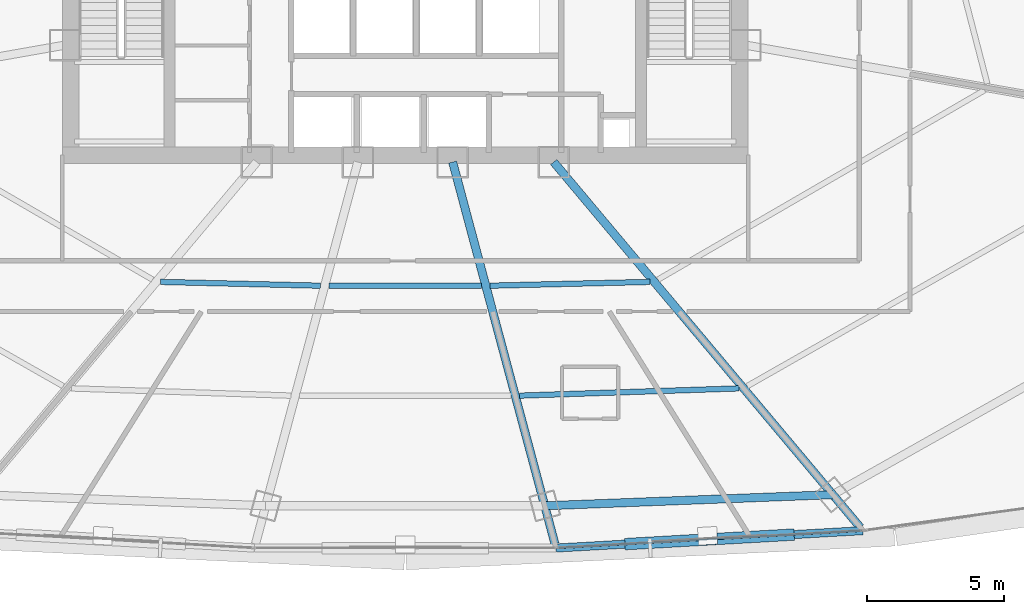
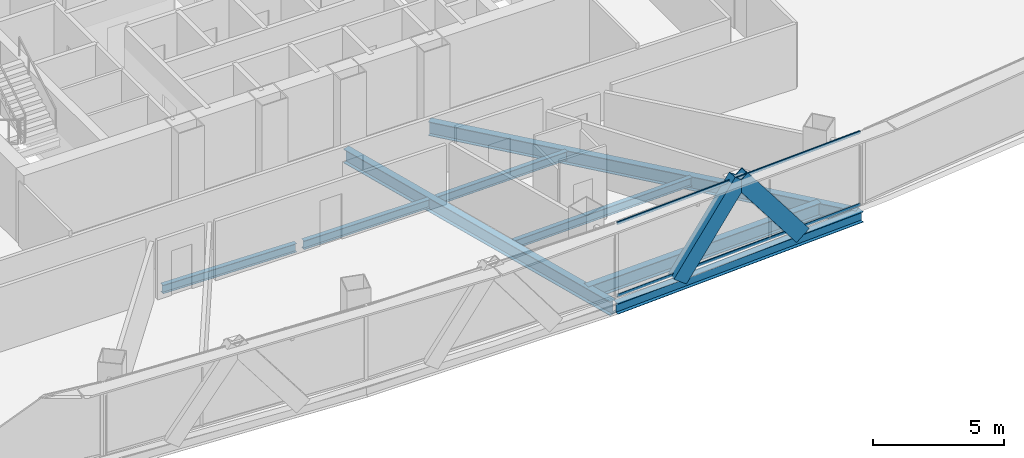
# One storey, part 13 of 39: 8 beams, 4 members, 1 element without a shape of its own.
"""IFC4 building model written with IfcOpenShell, lengths in metres."""

from ifc_helpers import new_model, si_unit, direction, frame, origin, origin_2d, place, context, subcontext, project, spatial, hollow_rectangle, i_section, extrude, source, transform, mapped, material, layer, layer_set, material_profile, profile_set, type_object, element, aggregate, save


model = new_model("IFC4")

# Units and contexts
model_context = context("Model", 3, precision=1e-05, world=origin(), true_north=direction((0.0, 1.0)))
body_context = subcontext(model_context, "Body", "Model", "MODEL_VIEW")
ifc_project = project(units=[si_unit("LENGTHUNIT", "METRE"), si_unit("AREAUNIT", "SQUARE_METRE"), si_unit("VOLUMEUNIT", "CUBIC_METRE"), si_unit("PLANEANGLEUNIT", "RADIAN"), si_unit("MASSUNIT", "GRAM", prefix="KILO"), si_unit("THERMODYNAMICTEMPERATUREUNIT", "KELVIN"), si_unit("POWERUNIT", "WATT")], contexts=[model_context])

# Site, building, storey
site_placement = place(None, origin())
site = spatial("IfcSite", under=ifc_project, at=site_placement, CompositionType="ELEMENT")
building_placement = place(site_placement, origin())
building = spatial("IfcBuilding", under=site, at=building_placement, Name="Yunzhuo Pagoda Commons", CompositionType="ELEMENT")
storey_placement = place(building_placement, frame((0.0, 0.0, 148.22998046875)))
storey = spatial("IfcBuildingStorey", under=building, at=storey_placement, Name="L37", CompositionType="ELEMENT", Elevation=148.22998046875)

# Beams
ifc_material_1 = material(Name="Structural steel Q355B", Category="steel")
ifc_material_profile_1 = material_profile(ifc_material_1, i_section(OverallWidth=0.300048828125, OverallDepth=0.64990234375, WebThickness=0.012939453125, FlangeThickness=0.02197265625, at=origin_2d()), Name="Structural steel Q355B")
ifc_profile_set_1 = profile_set([ifc_material_profile_1], Name="Structural steel Q355B")
beam_type_1 = type_object("IfcBeamType", Name="B-RG2 Beam HN 650x300x13x22", PredefinedType="BEAM", material=ifc_profile_set_1)
shared_shape_1 = source(origin(), body_context, "Body", "SweptSolid", [
    extrude(i_section(OverallWidth=0.300048828125, OverallDepth=0.64990234375, WebThickness=0.012939453125, FlangeThickness=0.02197265625, at=origin_2d()), origin(), (0.0, 0.0, 1.0), 10.5078125),
])
beam_1_placement = place(storey_placement, frame((53.085205078125, 14.7216796875, -0.584716796875), z_axis=(0.999258632812, 0.03849915259, 0.0), x_axis=(-0.03849915259, 0.999258632812, 0.0)))
element("IfcBeam", 1, at=beam_1_placement, inside=storey, type_object=beam_type_1, Name="L37 column-ring beam 3", PredefinedType="BEAM", context=body_context, shape_type="MappedRepresentation", body=[
    mapped(shared_shape_1, transform((0.0, 0.0, 0.0), scale=1.0)),
])
ifc_material_profile_2 = material_profile(ifc_material_1, i_section(OverallWidth=0.199951171875, OverallDepth=0.39990234375, WebThickness=0.008056640625, FlangeThickness=0.012939453125, at=origin_2d()), Name="Structural steel Q355B")
ifc_profile_set_2 = profile_set([ifc_material_profile_2], Name="Structural steel Q355B")
beam_type_2 = type_object("IfcBeamType", Name="B-JS1 Joist HN 400x200x8x13", PredefinedType="JOIST", material=ifc_profile_set_2)
shared_shape_2 = source(origin(), body_context, "Body", "SweptSolid", [
    extrude(i_section(OverallWidth=0.199951171875, OverallDepth=0.39990234375, WebThickness=0.008056640625, FlangeThickness=0.012939453125, at=origin_2d()), origin(), (0.0, 0.0, 1.0), 5.821533203125),
])
for number, where, z_axis, x_axis, name in (
    (2, (39.08447265625, 22.881591796875, -0.459716796875), (0.999718239795, -0.023736912649, 0.0), (0.023736912649, 0.999718239795, 0.0), "L37 composite ring joist 1.1"),
    (3, (51.095703125, 22.743408203125, -0.459716796875), (0.999718239795, 0.023736912649, 0.0), (-0.023736912649, 0.999718239795, 0.0), "L37 composite ring joist 1.3"),
):
    element("IfcBeam", number, at=place(storey_placement, frame(where, z_axis=z_axis, x_axis=x_axis)), inside=storey, type_object=beam_type_2, Name=name, PredefinedType="JOIST", context=body_context, shape_type="MappedRepresentation", body=[
        mapped(shared_shape_2, transform((0.0, 0.0, 0.0), scale=1.0)),
    ])
shared_shape_3 = source(origin(), body_context, "Body", "SweptSolid", [
    extrude(i_section(OverallWidth=0.199951171875, OverallDepth=0.39990234375, WebThickness=0.008056640625, FlangeThickness=0.012939453125, at=origin_2d()), origin(), (0.0, 0.0, 1.0), 8.00537109375),
])
beam_2_placement = place(storey_placement, frame((52.169921875, 18.73583984375, -0.459716796875), z_axis=(0.999453403952, 0.033058937199, 0.0), x_axis=(-0.033058937199, 0.999453403952, 0.0)))
element("IfcBeam", 4, at=beam_2_placement, inside=storey, type_object=beam_type_2, Name="L37 composite ring joist 2.3", PredefinedType="JOIST", context=body_context, shape_type="MappedRepresentation", body=[
    mapped(shared_shape_3, transform((0.0, 0.0, 0.0), scale=1.0)),
])
shared_shape_4 = source(origin(), body_context, "Body", "SweptSolid", [
    extrude(i_section(OverallWidth=0.199951171875, OverallDepth=0.39990234375, WebThickness=0.008056640625, FlangeThickness=0.012939453125, at=origin_2d()), origin(), (0.0, 0.0, 1.0), 5.5556640625),
])
beam_3_placement = place(storey_placement, frame((45.22216796875, 22.73974609375, -0.459716796875), z_axis=(1.0, 0.0, 0.0), x_axis=(0.0, 1.0, 0.0)))
element("IfcBeam", 5, at=beam_3_placement, inside=storey, type_object=beam_type_2, Name="L37 composite ring joist 1.2", PredefinedType="JOIST", context=body_context, shape_type="MappedRepresentation", body=[
    mapped(shared_shape_4, transform((0.0, 0.0, 0.0), scale=1.0)),
])
shared_shape_5 = source(origin(), body_context, "Body", "SweptSolid", [
    extrude(i_section(OverallWidth=0.300048828125, OverallDepth=0.64990234375, WebThickness=0.012939453125, FlangeThickness=0.02197265625, at=origin_2d()), origin(), (0.0, 0.0, 1.0), 14.41064453125),
])
beam_4_placement = place(storey_placement, frame((53.4580078125, 13.330322265625, -0.584716796875), z_axis=(-0.258801290743, 0.96593058338, 0.0), x_axis=(-0.96593058338, -0.258801290743, 0.0)))
element("IfcBeam", 6, at=beam_4_placement, inside=storey, type_object=beam_type_1, Name="L37 radial floor girder F1C3", PredefinedType="BEAM", context=body_context, shape_type="MappedRepresentation", body=[
    mapped(shared_shape_5, transform((0.0, 0.0, 0.0), scale=1.0)),
])
shared_shape_6 = source(origin(), body_context, "Body", "SweptSolid", [
    extrude(i_section(OverallWidth=0.300048828125, OverallDepth=0.64990234375, WebThickness=0.012939453125, FlangeThickness=0.02197265625, at=origin_2d()), origin(), (0.0, 0.0, 1.0), 17.383544921875),
])
beam_5_placement = place(storey_placement, frame((64.586181640625, 13.93359375, -0.584716796875), z_axis=(-0.642797085121, 0.766036492186, 0.0), x_axis=(-0.766036492186, -0.642797085121, 0.0)))
element("IfcBeam", 7, at=beam_5_placement, inside=storey, type_object=beam_type_1, Name="L37 radial floor girder F1C4", PredefinedType="BEAM", context=body_context, shape_type="MappedRepresentation", body=[
    mapped(shared_shape_6, transform((0.0, 0.0, 0.0), scale=1.0)),
])
ifc_material_profile_3 = material_profile(ifc_material_1, i_section(OverallWidth=0.300048828125, OverallDepth=0.488037109375, WebThickness=0.010986328125, FlangeThickness=0.01806640625, at=origin_2d()), Name="Structural steel Q355B")
ifc_profile_set_3 = profile_set([ifc_material_profile_3], Name="Structural steel Q355B")
beam_type_3 = type_object("IfcBeamType", Name="B-SP1 Beam HM 488x300x11x18", PredefinedType="BEAM", material=ifc_profile_set_3)
shared_shape_7 = source(origin(), body_context, "Body", "SweptSolid", [
    extrude(i_section(OverallWidth=0.300048828125, OverallDepth=0.488037109375, WebThickness=0.010986328125, FlangeThickness=0.01806640625, at=origin_2d()), origin(), (0.0, 0.0, 1.0), 11.20556640625),
])
beam_6_placement = place(storey_placement, frame((53.498046875, 13.1806640625, -0.50390625), z_axis=(0.998396692346, 0.056604281746, 0.0), x_axis=(-0.056604281746, 0.998396692346, 0.0)))
element("IfcBeam", 8, at=beam_6_placement, inside=storey, type_object=beam_type_3, Name="L37 facade edge spandrel beam F1.3", PredefinedType="BEAM", context=body_context, shape_type="MappedRepresentation", body=[
    mapped(shared_shape_7, transform((0.0, 0.0, 0.0), scale=1.0)),
])

# Members
ifc_material_2 = material(Name="Structural steel Q420B", Category="steel")
ifc_material_profile_4 = material_profile(ifc_material_2, hollow_rectangle(XDim=0.419921875, YDim=0.719970703125, WallThickness=0.028076171875, at=origin_2d()), Name="Structural steel Q420B")
ifc_profile_set_4 = profile_set([ifc_material_profile_4], Name="Structural steel Q420B")
member_type_1 = type_object("IfcMemberType", Name="M-DL1 Brace BOX 720x420x28", PredefinedType="BRACE", material=ifc_profile_set_4)
shared_shape_8 = source(origin(), body_context, "Body", "SweptSolid", [
    extrude(hollow_rectangle(XDim=0.419921875, YDim=0.719970703125, WallThickness=0.028076171875, at=origin_2d()), origin(), (0.0, 0.0, 1.0), 4.625),
])
for number, where, z_axis, x_axis, name in (
    (9, (56.294921875, 13.339111328125, -0.260009765625), (0.604744365937, 0.034312485847, 0.795680152563), (-0.056647717242, 0.998394228815, 0.0), "L37 facade diamond brace F1.3L"),
    (10, (61.888671875, 13.65625, -0.260009765625), (-0.604745460472, -0.034259759414, 0.795681592676), (0.056560845928, -0.998399154, 0.0), "L37 facade diamond brace F1.3R"),
):
    element("IfcMember", number, at=place(storey_placement, frame(where, z_axis=z_axis, x_axis=x_axis)), inside=storey, type_object=member_type_1, Name=name, PredefinedType="BRACE", context=body_context, shape_type="MappedRepresentation", body=[
        mapped(shared_shape_8, transform((0.0, 0.0, 0.0), scale=1.0)),
    ])

# Curtain wall, members
ifc_material_3 = material(Name="Anodized aluminium 6063-T6", Category="aluminium")
ifc_layer = layer(ifc_material_3, 0.14990234375)
ifc_layer_set = layer_set([ifc_layer], Name="Anodized aluminium 6063-T6")
curtain_wall_type = type_object("IfcCurtainWallType", Name="CW-MID Mid-Zone Ribbon Curtain Wall", PredefinedType="NOTDEFINED", material=ifc_layer_set)
curtain_wall_placement = place(storey_placement, origin())
curtain_wall = element("IfcCurtainWall", 11, at=curtain_wall_placement, inside=storey, type_object=curtain_wall_type, Name="L37 curtain wall CW-L37-F1B4", PredefinedType="NOTDEFINED")
ifc_material_profile_5 = material_profile(ifc_material_3, hollow_rectangle(XDim=0.054931640625, YDim=0.1298828125, WallThickness=0.00341796875, at=origin_2d()), Name="Anodized aluminium 6063-T6")
ifc_profile_set_5 = profile_set([ifc_material_profile_5], Name="Anodized aluminium 6063-T6")
member_type_2 = type_object("IfcMemberType", Name="CW-MID-T Transom RHS 130x55x3.5", PredefinedType="USERDEFINED", material=ifc_profile_set_5)
shared_shape_9 = source(origin(), body_context, "Body", "SweptSolid", [
    extrude(hollow_rectangle(XDim=0.054931640625, YDim=0.1298828125, WallThickness=0.00341796875, at=origin_2d()), origin(), (0.0, 0.0, 1.0), 11.085205078125),
])
member_1_placement = place(storey_placement, frame((53.558349609375, 13.18408203125, 0.027587890625), z_axis=(0.998396824241, 0.056601955314, 0.0), x_axis=(-0.056601955314, 0.998396824241, 0.0)))
member_1 = element("IfcMember", 12, at=member_1_placement, type_object=member_type_2, Name="CW transom 1.1", ObjectType="TRANSOM", PredefinedType="USERDEFINED", context=body_context, shape_type="MappedRepresentation", body=[
    mapped(shared_shape_9, transform((0.0, 0.0, 0.0), scale=1.0)),
])
member_2_placement = place(storey_placement, frame((53.558349609375, 13.18408203125, 3.392578125), z_axis=(0.998396824241, 0.056601955314, 0.0), x_axis=(-0.056601955314, 0.998396824241, 0.0)))
member_2 = element("IfcMember", 13, at=member_2_placement, type_object=member_type_2, Name="CW transom 1.2", ObjectType="TRANSOM", PredefinedType="USERDEFINED", context=body_context, shape_type="MappedRepresentation", body=[
    mapped(shared_shape_9, transform((0.0, 0.0, 0.0), scale=1.0)),
])
aggregate(curtain_wall, [member_1, member_2])

save(model, "model.ifc")
